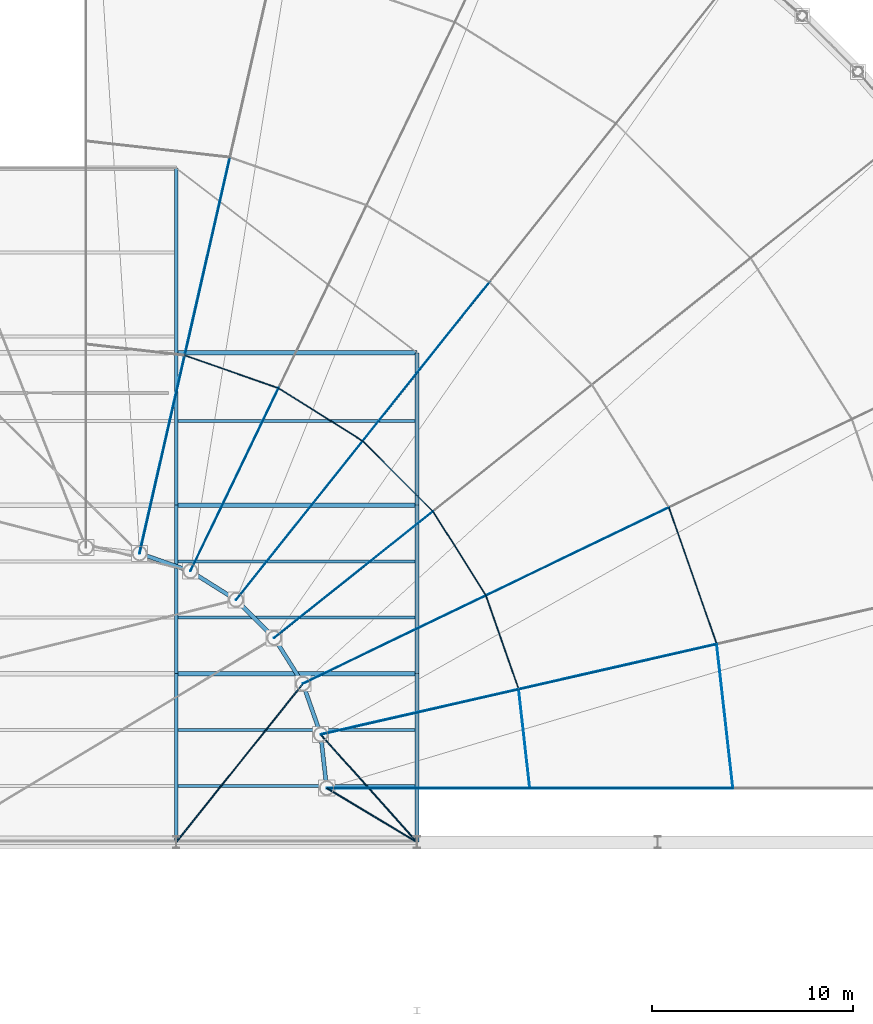
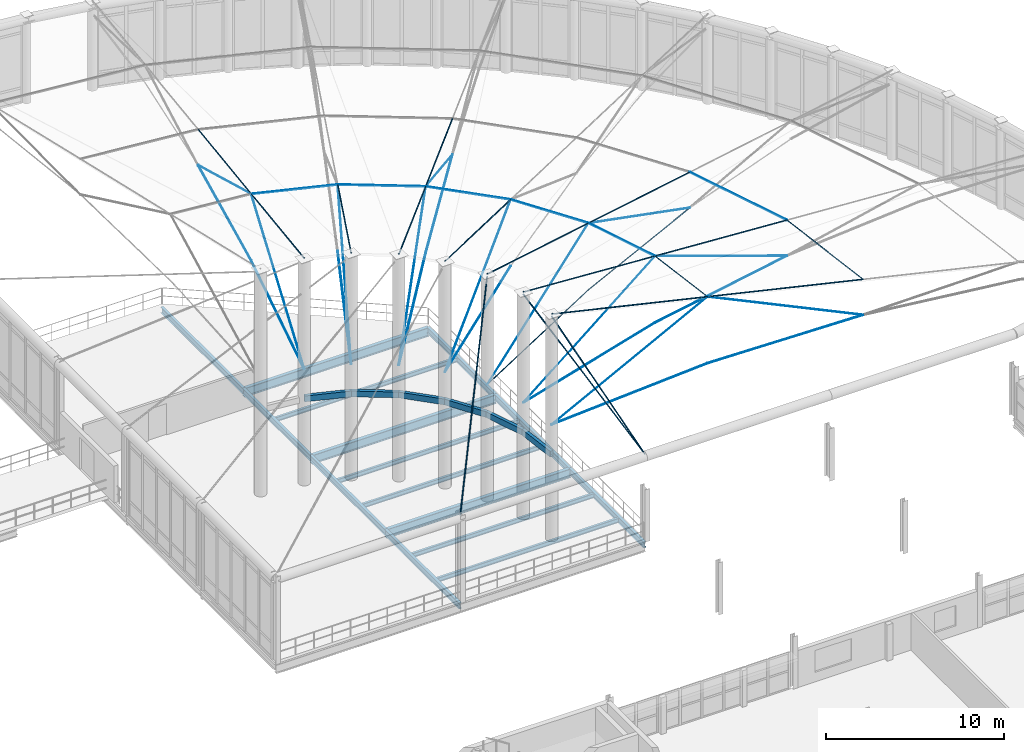
# One storey, part 55 of 101: 47 members, 21 beams.
"""IFC4 building model written with IfcOpenShell, lengths in metres."""

from ifc_helpers import new_model, si_unit, direction, frame, origin, origin_2d, place, context, subcontext, project, spatial, hollow_rectangle, circle, i_section, extrude, material, material_profile, profile_set, type_object, element, save


model = new_model("IFC4")

# Units and contexts
model_context = context("Model", 3, precision=1e-05, world=origin(), true_north=direction((0.0, 1.0)))
body_context = subcontext(model_context, "Body", "Model", "MODEL_VIEW")
ifc_project = project(units=[si_unit("LENGTHUNIT", "METRE"), si_unit("AREAUNIT", "SQUARE_METRE"), si_unit("VOLUMEUNIT", "CUBIC_METRE"), si_unit("PLANEANGLEUNIT", "RADIAN"), si_unit("MASSUNIT", "GRAM", prefix="KILO"), si_unit("THERMODYNAMICTEMPERATUREUNIT", "KELVIN"), si_unit("POWERUNIT", "WATT")], contexts=[model_context])

# Site, building, storey
site_placement = place(None, origin())
site = spatial("IfcSite", under=ifc_project, at=site_placement, CompositionType="ELEMENT")
building_placement = place(site_placement, origin())
building = spatial("IfcBuilding", under=site, at=building_placement, Name="Tembeka Court Mobility Hub", CompositionType="ELEMENT")
storey_placement = place(building_placement, frame((0.0, 0.0, 5.39990234375)))
storey = spatial("IfcBuildingStorey", under=building, at=storey_placement, Name="L01", CompositionType="ELEMENT", Elevation=5.39990234375)

# Beams
ifc_material_1 = material(Name="Steel S355", Category="steel")
ifc_material_profile_1 = material_profile(ifc_material_1, i_section(OverallWidth=0.177978515625, OverallDepth=0.406005859375, WebThickness=0.0078125, FlangeThickness=0.0126953125, FilletRadius=0.01025390625, at=origin_2d()), Name="UKB 406x178x60")
ifc_profile_set_1 = profile_set([ifc_material_profile_1], Name="Steel S355")
beam_type_1 = type_object("IfcBeamType", Name="BM-B02", PredefinedType="BEAM", material=ifc_profile_set_1)
for number, where, z_axis, x_axis, name in (
    (1, (128.39990234375, 63.60009765625, -0.392822265625), (0.0, 1.0, 0.0), (-1.0, 0.0, 0.0), "Beam B02 (BM-L01-Y0884)"),
    (2, (128.39990234375, 72.0, -0.392822265625), (0.0, 1.0, 0.0), (-1.0, 0.0, 0.0), "Beam B02 (BM-L01-Y0885)"),
):
    element("IfcBeam", number, at=place(storey_placement, frame(where, z_axis=z_axis, x_axis=x_axis)), inside=storey, type_object=beam_type_1, Name=name, PredefinedType="BEAM", context=body_context, shape_type="SweptSolid", body=[
        extrude(i_section(OverallWidth=0.177978515625, OverallDepth=0.406005859375, WebThickness=0.0078125, FlangeThickness=0.0126953125, FilletRadius=0.01025390625, at=origin_2d()), origin(), (0.0, 0.0, 1.0), 8.39990234375),
    ])
beam_1_placement = place(storey_placement, frame((128.39990234375, 80.39990234375, -0.392822265625), z_axis=(0.0, 1.0, 0.0), x_axis=(-1.0, 0.0, 0.0)))
element("IfcBeam", 3, at=beam_1_placement, inside=storey, type_object=beam_type_1, Name="Beam B02 (BM-L01-Y0886)", PredefinedType="BEAM", context=body_context, shape_type="SweptSolid", body=[
    extrude(i_section(OverallWidth=0.177978515625, OverallDepth=0.406005859375, WebThickness=0.0078125, FlangeThickness=0.0126953125, FilletRadius=0.01025390625, at=origin_2d()), origin(), (0.0, 0.0, 1.0), 7.60009765625),
])
beam_2_placement = place(storey_placement, frame((128.39990234375, 88.0, -0.392822265625), z_axis=(0.0, 1.0, 0.0), x_axis=(-1.0, 0.0, 0.0)))
element("IfcBeam", 4, at=beam_2_placement, inside=storey, type_object=beam_type_1, Name="Beam B02 (BM-L01-Y0887)", PredefinedType="BEAM", context=body_context, shape_type="SweptSolid", body=[
    extrude(i_section(OverallWidth=0.177978515625, OverallDepth=0.406005859375, WebThickness=0.0078125, FlangeThickness=0.0126953125, FilletRadius=0.01025390625, at=origin_2d()), origin(), (0.0, 0.0, 1.0), 9.199951171875),
])
for number, where, z_axis, x_axis, name in (
    (5, (140.39990234375, 63.60009765625, -0.392822265625), (0.0, 1.0, 0.0), (-1.0, 0.0, 0.0), "Beam B02 (BM-L01-Y0892)"),
    (6, (140.39990234375, 72.0, -0.392822265625), (0.0, 1.0, 0.0), (-1.0, 0.0, 0.0), "Beam B02 (BM-L01-Y0893)"),
):
    element("IfcBeam", number, at=place(storey_placement, frame(where, z_axis=z_axis, x_axis=x_axis)), inside=storey, type_object=beam_type_1, Name=name, PredefinedType="BEAM", context=body_context, shape_type="SweptSolid", body=[
        extrude(i_section(OverallWidth=0.177978515625, OverallDepth=0.406005859375, WebThickness=0.0078125, FlangeThickness=0.0126953125, FilletRadius=0.01025390625, at=origin_2d()), origin(), (0.0, 0.0, 1.0), 8.39990234375),
    ])
beam_3_placement = place(storey_placement, frame((140.39990234375, 80.39990234375, -0.392822265625), z_axis=(0.0, 1.0, 0.0), x_axis=(-1.0, 0.0, 0.0)))
element("IfcBeam", 7, at=beam_3_placement, inside=storey, type_object=beam_type_1, Name="Beam B02 (BM-L01-Y0894)", PredefinedType="BEAM", context=body_context, shape_type="SweptSolid", body=[
    extrude(i_section(OverallWidth=0.177978515625, OverallDepth=0.406005859375, WebThickness=0.0078125, FlangeThickness=0.0126953125, FilletRadius=0.01025390625, at=origin_2d()), origin(), (0.0, 0.0, 1.0), 7.60009765625),
])
ifc_material_profile_2 = material_profile(ifc_material_1, i_section(OverallWidth=0.22900390625, OverallDepth=0.612060546875, WebThickness=0.011962890625, FlangeThickness=0.01953125, FilletRadius=0.0126953125, at=origin_2d()), Name="UKB 610x229x125")
ifc_profile_set_2 = profile_set([ifc_material_profile_2], Name="Steel S355")
beam_type_2 = type_object("IfcBeamType", Name="BM-G02", PredefinedType="USERDEFINED", material=ifc_profile_set_2)
for number, where, z_axis, x_axis, name in (
    (8, (128.39990234375, 72.0, -0.495849609375), (1.0, 0.0, 0.0), (0.0, 1.0, 0.0), "Beam G02 (BM-L01-X0715)"),
    (9, (128.39990234375, 80.39990234375, -0.495849609375), (1.0, 0.0, 0.0), (0.0, 1.0, 0.0), "Beam G02 (BM-L01-X0728)"),
    (10, (128.39990234375, 88.0, -0.495849609375), (1.0, 0.0, 0.0), (0.0, 1.0, 0.0), "Beam G02 (BM-L01-X0734)"),
):
    element("IfcBeam", number, at=place(storey_placement, frame(where, z_axis=z_axis, x_axis=x_axis)), inside=storey, type_object=beam_type_2, Name=name, ObjectType="GIRDER", PredefinedType="USERDEFINED", context=body_context, shape_type="SweptSolid", body=[
        extrude(i_section(OverallWidth=0.22900390625, OverallDepth=0.612060546875, WebThickness=0.011962890625, FlangeThickness=0.01953125, FilletRadius=0.0126953125, at=origin_2d()), origin(), (0.0, 0.0, 1.0), 12.0),
    ])
ifc_material_profile_3 = material_profile(ifc_material_1, i_section(OverallWidth=0.14990234375, OverallDepth=0.300048828125, WebThickness=0.007080078125, FlangeThickness=0.0107421875, FilletRadius=0.014892578125, at=origin_2d()), Name="IPE 300")
ifc_profile_set_3 = profile_set([ifc_material_profile_3], Name="Steel S355")
beam_type_3 = type_object("IfcBeamType", Name="BM-J04", PredefinedType="JOIST", material=ifc_profile_set_3)
for number, where, z_axis, x_axis, name in (
    (11, (128.48388671875, 66.39990234375, -0.33984375), (1.0, 0.0, 0.0), (0.0, 1.0, 0.0), "Beam J04 (JST-L01-1132)"),
    (12, (128.48388671875, 69.199951171875, -0.33984375), (1.0, 0.0, 0.0), (0.0, 1.0, 0.0), "Beam J04 (JST-L01-1133)"),
    (13, (128.48388671875, 74.800048828125, -0.33984375), (1.0, 0.0, 0.0), (0.0, 1.0, 0.0), "Beam J04 (JST-L01-1134)"),
    (14, (128.48388671875, 77.60009765625, -0.33984375), (1.0, 0.0, 0.0), (0.0, 1.0, 0.0), "Beam J04 (JST-L01-1135)"),
    (15, (128.48388671875, 84.60009765625, -0.33984375), (1.0, 0.0, 0.0), (0.0, 1.0, 0.0), "Beam J04 (JST-L01-1136)"),
):
    element("IfcBeam", number, at=place(storey_placement, frame(where, z_axis=z_axis, x_axis=x_axis)), inside=storey, type_object=beam_type_3, Name=name, PredefinedType="JOIST", context=body_context, shape_type="SweptSolid", body=[
        extrude(i_section(OverallWidth=0.14990234375, OverallDepth=0.300048828125, WebThickness=0.007080078125, FlangeThickness=0.0107421875, FilletRadius=0.014892578125, at=origin_2d()), origin(), (0.0, 0.0, 1.0), 11.83203125),
    ])
ifc_material_profile_4 = material_profile(ifc_material_1, hollow_rectangle(XDim=0.199951171875, YDim=0.39990234375, WallThickness=0.012451171875, at=origin_2d()), Name="RHS 400x200x12.5")
ifc_profile_set_4 = profile_set([ifc_material_profile_4], Name="Steel S355")
beam_type_4 = type_object("IfcBeamType", Name="BM-RB02", PredefinedType="BEAM", material=ifc_profile_set_4)
beam_4_placement = place(storey_placement, frame((135.89990234375, 66.300048828125, 5.800048828125), z_axis=(-0.111937206501, 0.993715282061, 0.0), x_axis=(-0.993715282061, -0.111937206501, 0.0)))
element("IfcBeam", 16, at=beam_4_placement, inside=storey, type_object=beam_type_4, Name="Concourse inner mast ring beam RB02-01", PredefinedType="BEAM", context=body_context, shape_type="SweptSolid", body=[
    extrude(hollow_rectangle(XDim=0.199951171875, YDim=0.39990234375, WallThickness=0.012451171875, at=origin_2d()), origin(), (0.0, 0.0, 1.0), 2.68701171875),
])
for number, where, z_axis, x_axis, name in (
    (17, (135.59912109375, 68.97021484375, 5.800048828125), (-0.33025734244, 0.943890930015, 0.0), (-0.943890930015, -0.33025734244, 0.0), "Concourse inner mast ring beam RB02-02"),
    (18, (134.711669921875, 71.506591796875, 5.800048828125), (-0.532022688291, 0.846730098168, 0.0), (-0.846730098168, -0.532022688291, 0.0), "Concourse inner mast ring beam RB02-03"),
):
    element("IfcBeam", number, at=place(storey_placement, frame(where, z_axis=z_axis, x_axis=x_axis)), inside=storey, type_object=beam_type_4, Name=name, PredefinedType="BEAM", context=body_context, shape_type="SweptSolid", body=[
        extrude(hollow_rectangle(XDim=0.199951171875, YDim=0.39990234375, WallThickness=0.012451171875, at=origin_2d()), origin(), (0.0, 0.0, 1.0), 2.687255859375),
    ])
for number, where, z_axis, x_axis, name in (
    (19, (133.281982421875, 73.781982421875, 5.800048828125), (-0.70715220901, 0.707061350445, 0.0), (-0.707061350445, -0.70715220901, 0.0), "Concourse inner mast ring beam RB02-04"),
    (20, (131.3818359375, 75.681884765625, 5.800048828125), (-0.846704380031, 0.532063617283, 0.0), (-0.532063617283, -0.846704380031, 0.0), "Concourse inner mast ring beam RB02-05"),
):
    element("IfcBeam", number, at=place(storey_placement, frame(where, z_axis=z_axis, x_axis=x_axis)), inside=storey, type_object=beam_type_4, Name=name, PredefinedType="BEAM", context=body_context, shape_type="SweptSolid", body=[
        extrude(hollow_rectangle(XDim=0.199951171875, YDim=0.39990234375, WallThickness=0.012451171875, at=origin_2d()), origin(), (0.0, 0.0, 1.0), 2.68701171875),
    ])
beam_5_placement = place(storey_placement, frame((129.106689453125, 77.111572265625, 5.800048828125), z_axis=(-0.943890930015, 0.33025734244, 0.0), x_axis=(-0.33025734244, -0.943890930015, 0.0)))
element("IfcBeam", 21, at=beam_5_placement, inside=storey, type_object=beam_type_4, Name="Concourse inner mast ring beam RB02-06", PredefinedType="BEAM", context=body_context, shape_type="SweptSolid", body=[
    extrude(hollow_rectangle(XDim=0.199951171875, YDim=0.39990234375, WallThickness=0.012451171875, at=origin_2d()), origin(), (0.0, 0.0, 1.0), 2.687255859375),
])

# Members
ifc_material_2 = material(Name="Steel S460", Category="steel")
ifc_material_profile_5 = material_profile(ifc_material_2, circle(Radius=0.031982421875, at=origin_2d()), Name="CABLE D64")
ifc_profile_set_5 = profile_set([ifc_material_profile_5], Name="Steel S460")
member_type_1 = type_object("IfcMemberType", Name="MEM-CB01", PredefinedType="USERDEFINED", material=ifc_profile_set_5)
member_1_placement = place(storey_placement, frame((140.39990234375, 63.60009765625, 5.85009765625), z_axis=(-0.417998506046, 0.250794568053, 0.873143363703), x_axis=(-0.514488913912, -0.857497030584, 0.0)))
element("IfcMember", 22, at=member_1_placement, inside=storey, type_object=member_type_1, Name="Concourse mast M1 backstay cable CB01", ObjectType="CABLE", PredefinedType="USERDEFINED", context=body_context, shape_type="SweptSolid", body=[
    extrude(circle(Radius=0.031982421875, at=origin_2d()), origin(), (0.0, 0.0, 1.0), 10.765625),
])
for number, where, z_axis, x_axis, name in (
    (23, (135.89990234375, 66.300048828125, 15.400146484375), (0.974104590881, 0.0, -0.226097868244), (0.0, 1.0, 0.0), "Concourse radial ridge cable CB01-1-1"),
    (24, (146.02490234375, 66.300048828125, 13.050048828125), (0.974109763775, 0.0, -0.226075580544), (0.0, 1.0, 0.0), "Concourse radial ridge cable CB01-1-2"),
):
    element("IfcMember", number, at=place(storey_placement, frame(where, z_axis=z_axis, x_axis=x_axis)), inside=storey, type_object=member_type_1, Name=name, ObjectType="CABLE", PredefinedType="USERDEFINED", context=body_context, shape_type="SweptSolid", body=[
        extrude(circle(Radius=0.031982421875, at=origin_2d()), origin(), (0.0, 0.0, 1.0), 10.39404296875),
    ])
member_2_placement = place(storey_placement, frame((140.39990234375, 63.60009765625, 5.85009765625), z_axis=(-0.405387213355, 0.453463036257, 0.79374585479), x_axis=(-0.745521364484, -0.666481729006, 0.0)))
element("IfcMember", 25, at=member_2_placement, inside=storey, type_object=member_type_1, Name="Concourse mast M2 backstay cable CB01", ObjectType="CABLE", PredefinedType="USERDEFINED", context=body_context, shape_type="SweptSolid", body=[
    extrude(circle(Radius=0.031982421875, at=origin_2d()), origin(), (0.0, 0.0, 1.0), 11.842529296875),
])
for number, where, z_axis, x_axis, name in (
    (26, (135.59912109375, 68.97021484375, 15.400146484375), (0.949678311912, 0.216773376055, -0.226098224932), (-0.222536056711, 0.974924460388, 0.0), "Concourse radial ridge cable CB01-2-1"),
    (27, (145.47021484375, 71.223388671875, 13.050048828125), (0.949688190375, 0.216752142382, -0.226077088256), (-0.222513137948, 0.974929691537, 0.0), "Concourse radial ridge cable CB01-2-2"),
):
    element("IfcMember", number, at=place(storey_placement, frame(where, z_axis=z_axis, x_axis=x_axis)), inside=storey, type_object=member_type_1, Name=name, ObjectType="CABLE", PredefinedType="USERDEFINED", context=body_context, shape_type="SweptSolid", body=[
        extrude(circle(Radius=0.031982421875, at=origin_2d()), origin(), (0.0, 0.0, 1.0), 10.39404296875),
    ])
member_3_placement = place(storey_placement, frame((128.39990234375, 63.60009765625, 5.85009765625), z_axis=(0.4570515111, 0.57252981035, 0.680671383607), x_axis=(-0.781515834797, 0.623885406114, 0.0)))
element("IfcMember", 28, at=member_3_placement, inside=storey, type_object=member_type_1, Name="Concourse mast M3 backstay cable CB01", ObjectType="CABLE", PredefinedType="USERDEFINED", context=body_context, shape_type="SweptSolid", body=[
    extrude(circle(Radius=0.031982421875, at=origin_2d()), origin(), (0.0, 0.0, 1.0), 13.809814453125),
])
for number, where, z_axis, x_axis, name in (
    (29, (134.711669921875, 71.506591796875, 15.400146484375), (0.877638243854, 0.422647465808, -0.226097838494), (-0.433883041686, 0.900969203767, 0.0), "Concourse radial ridge cable CB01-3-1"),
    (30, (143.833984375, 75.899658203125, 13.050048828125), (0.877642904471, 0.422649710238, -0.226075550797), (-0.433883041686, 0.900969203767, 0.0), "Concourse radial ridge cable CB01-3-2"),
    (31, (133.281982421875, 73.781982421875, 15.400146484375), (0.761588509184, 0.607340059276, -0.226099524716), (-0.62348571671, 0.781834740248, 0.0), "Concourse radial ridge cable CB01-4-1"),
):
    element("IfcMember", number, at=place(storey_placement, frame(where, z_axis=z_axis, x_axis=x_axis)), inside=storey, type_object=member_type_1, Name=name, ObjectType="CABLE", PredefinedType="USERDEFINED", context=body_context, shape_type="SweptSolid", body=[
        extrude(circle(Radius=0.031982421875, at=origin_2d()), origin(), (0.0, 0.0, 1.0), 10.39404296875),
    ])
for number, where, z_axis, x_axis, name in (
    (32, (131.3818359375, 75.681884765625, 15.400146484375), (0.607329194991, 0.761598373655, -0.226095480179), (-0.781844113475, 0.623473962748, 0.0), "Concourse radial ridge cable CB01-5-1"),
    (33, (137.694580078125, 83.59814453125, 13.050048828125), (0.607358108652, 0.76158168903, -0.226074011748), (-0.781822986173, 0.623500455726, 0.0), "Concourse radial ridge cable CB01-5-2"),
):
    element("IfcMember", number, at=place(storey_placement, frame(where, z_axis=z_axis, x_axis=x_axis)), inside=storey, type_object=member_type_1, Name=name, ObjectType="CABLE", PredefinedType="USERDEFINED", context=body_context, shape_type="SweptSolid", body=[
        extrude(circle(Radius=0.031982421875, at=origin_2d()), origin(), (0.0, 0.0, 1.0), 10.394287109375),
    ])
for number, where, z_axis, x_axis, name in (
    (34, (129.106689453125, 77.111572265625, 15.400146484375), (0.422647465808, 0.877638243854, -0.226097838494), (-0.900969203767, 0.433883041686, 0.0), "Concourse radial ridge cable CB01-6-1"),
    (35, (126.5703125, 77.9990234375, 15.400146484375), (0.21675099133, 0.949683147102, -0.226099376088), (-0.974929691537, 0.222513137948, 0.0), "Concourse radial ridge cable CB01-7-1"),
):
    element("IfcMember", number, at=place(storey_placement, frame(where, z_axis=z_axis, x_axis=x_axis)), inside=storey, type_object=member_type_1, Name=name, ObjectType="CABLE", PredefinedType="USERDEFINED", context=body_context, shape_type="SweptSolid", body=[
        extrude(circle(Radius=0.031982421875, at=origin_2d()), origin(), (0.0, 0.0, 1.0), 10.39404296875),
    ])
member_4_placement = place(storey_placement, frame((128.8232421875, 87.8701171875, 13.050048828125), z_axis=(0.216769691823, 0.94968565928, -0.226070894333), x_axis=(-0.974925654462, 0.22253082544, 0.0)))
element("IfcMember", 36, at=member_4_placement, inside=storey, type_object=member_type_1, Name="Concourse radial ridge cable CB01-7-2", ObjectType="CABLE", PredefinedType="USERDEFINED", context=body_context, shape_type="SweptSolid", body=[
    extrude(circle(Radius=0.031982421875, at=origin_2d()), origin(), (0.0, 0.0, 1.0), 10.394287109375),
])
ifc_material_profile_6 = material_profile(ifc_material_2, circle(Radius=0.02392578125, at=origin_2d()), Name="CABLE D48")
ifc_profile_set_6 = profile_set([ifc_material_profile_6], Name="Steel S460")
member_type_2 = type_object("IfcMemberType", Name="MEM-CB02", PredefinedType="USERDEFINED", material=ifc_profile_set_6)
member_5_placement = place(storey_placement, frame((135.89990234375, 66.300048828125, 7.800048828125), z_axis=(0.997784838475, 0.0, 0.06652380108), x_axis=(0.0, 1.0, 0.0)))
element("IfcMember", 37, at=member_5_placement, inside=storey, type_object=member_type_2, Name="Concourse radial valley cable CB02-1-1", ObjectType="CABLE", PredefinedType="USERDEFINED", context=body_context, shape_type="SweptSolid", body=[
    extrude(circle(Radius=0.02392578125, at=origin_2d()), origin(), (0.0, 0.0, 1.0), 10.1474609375),
])
member_6_placement = place(storey_placement, frame((146.02490234375, 66.300048828125, 8.47509765625), z_axis=(0.999752963609, 0.0, -0.022226375204), x_axis=(0.0, 1.0, 0.0)))
element("IfcMember", 38, at=member_6_placement, inside=storey, type_object=member_type_2, Name="Concourse radial valley cable CB02-1-2", ObjectType="CABLE", PredefinedType="USERDEFINED", context=body_context, shape_type="SweptSolid", body=[
    extrude(circle(Radius=0.02392578125, at=origin_2d()), origin(), (0.0, 0.0, 1.0), 10.12744140625),
])
member_7_placement = place(storey_placement, frame((135.59912109375, 68.97021484375, 7.800048828125), z_axis=(0.972764838076, 0.222043101766, 0.066523911191), x_axis=(-0.222536056711, 0.974924460388, 0.0)))
element("IfcMember", 39, at=member_7_placement, inside=storey, type_object=member_type_2, Name="Concourse radial valley cable CB02-2-1", ObjectType="CABLE", PredefinedType="USERDEFINED", context=body_context, shape_type="SweptSolid", body=[
    extrude(circle(Radius=0.02392578125, at=origin_2d()), origin(), (0.0, 0.0, 1.0), 10.1474609375),
])
member_8_placement = place(storey_placement, frame((145.47021484375, 71.223388671875, 8.47509765625), z_axis=(0.974688845041, 0.222458168333, -0.02222653134), x_axis=(-0.222513137948, 0.974929691537, 0.0)))
element("IfcMember", 40, at=member_8_placement, inside=storey, type_object=member_type_2, Name="Concourse radial valley cable CB02-2-2", ObjectType="CABLE", PredefinedType="USERDEFINED", context=body_context, shape_type="SweptSolid", body=[
    extrude(circle(Radius=0.02392578125, at=origin_2d()), origin(), (0.0, 0.0, 1.0), 10.12744140625),
])
member_9_placement = place(storey_placement, frame((134.711669921875, 71.506591796875, 7.800048828125), z_axis=(0.898973412003, 0.432921920931, 0.066523791896), x_axis=(-0.433883041686, 0.900969203767, 0.0)))
element("IfcMember", 41, at=member_9_placement, inside=storey, type_object=member_type_2, Name="Concourse radial valley cable CB02-3-1", ObjectType="CABLE", PredefinedType="USERDEFINED", context=body_context, shape_type="SweptSolid", body=[
    extrude(circle(Radius=0.02392578125, at=origin_2d()), origin(), (0.0, 0.0, 1.0), 10.1474609375),
])
member_10_placement = place(storey_placement, frame((143.833984375, 75.899658203125, 8.47509765625), z_axis=(0.900746631649, 0.433775856815, -0.022226372123), x_axis=(-0.433883041686, 0.900969203767, 0.0)))
element("IfcMember", 42, at=member_10_placement, inside=storey, type_object=member_type_2, Name="Concourse radial valley cable CB02-3-2", ObjectType="CABLE", PredefinedType="USERDEFINED", context=body_context, shape_type="SweptSolid", body=[
    extrude(circle(Radius=0.02392578125, at=origin_2d()), origin(), (0.0, 0.0, 1.0), 10.12744140625),
])
member_11_placement = place(storey_placement, frame((133.281982421875, 73.781982421875, 7.800048828125), z_axis=(0.780102823357, 0.622104573882, 0.066524312441), x_axis=(-0.62348571671, 0.781834740248, 0.0)))
element("IfcMember", 43, at=member_11_placement, inside=storey, type_object=member_type_2, Name="Concourse radial valley cable CB02-4-1", ObjectType="CABLE", PredefinedType="USERDEFINED", context=body_context, shape_type="SweptSolid", body=[
    extrude(circle(Radius=0.02392578125, at=origin_2d()), origin(), (0.0, 0.0, 1.0), 10.1474609375),
])
member_12_placement = place(storey_placement, frame((131.3818359375, 75.681884765625, 7.800048828125), z_axis=(0.622092897858, 0.780112240904, 0.066523063874), x_axis=(-0.781844113475, 0.623473962748, 0.0)))
element("IfcMember", 44, at=member_12_placement, inside=storey, type_object=member_type_2, Name="Concourse radial valley cable CB02-5-1", ObjectType="CABLE", PredefinedType="USERDEFINED", context=body_context, shape_type="SweptSolid", body=[
    extrude(circle(Radius=0.02392578125, at=origin_2d()), origin(), (0.0, 0.0, 1.0), 10.147705078125),
])
member_13_placement = place(storey_placement, frame((137.694580078125, 83.59814453125, 8.47509765625), z_axis=(0.623346430676, 0.781629850268, -0.022226212742), x_axis=(-0.781822986173, 0.623500455726, 0.0)))
element("IfcMember", 45, at=member_13_placement, inside=storey, type_object=member_type_2, Name="Concourse radial valley cable CB02-5-2", ObjectType="CABLE", PredefinedType="USERDEFINED", context=body_context, shape_type="SweptSolid", body=[
    extrude(circle(Radius=0.02392578125, at=origin_2d()), origin(), (0.0, 0.0, 1.0), 10.127685546875),
])
for number, where, z_axis, x_axis, name in (
    (46, (129.106689453125, 77.111572265625, 7.800048828125), (0.432921920931, 0.898973412003, 0.066523791896), (-0.900969203767, 0.433883041686, 0.0), "Concourse radial valley cable CB02-6-1"),
    (47, (126.5703125, 77.9990234375, 7.800048828125), (0.2220202285, 0.972770034538, 0.066524266559), (-0.974929691537, 0.222513137948, 0.0), "Concourse radial valley cable CB02-7-1"),
):
    element("IfcMember", number, at=place(storey_placement, frame(where, z_axis=z_axis, x_axis=x_axis)), inside=storey, type_object=member_type_2, Name=name, ObjectType="CABLE", PredefinedType="USERDEFINED", context=body_context, shape_type="SweptSolid", body=[
        extrude(circle(Radius=0.02392578125, at=origin_2d()), origin(), (0.0, 0.0, 1.0), 10.1474609375),
    ])
member_14_placement = place(storey_placement, frame((128.8232421875, 87.8701171875, 8.47509765625), z_axis=(0.222475854629, 0.974684822866, -0.022225889909), x_axis=(-0.974925654462, 0.22253082544, 0.0)))
element("IfcMember", 48, at=member_14_placement, inside=storey, type_object=member_type_2, Name="Concourse radial valley cable CB02-7-2", ObjectType="CABLE", PredefinedType="USERDEFINED", context=body_context, shape_type="SweptSolid", body=[
    extrude(circle(Radius=0.02392578125, at=origin_2d()), origin(), (0.0, 0.0, 1.0), 10.127685546875),
])
member_15_placement = place(storey_placement, frame((146.02490234375, 66.300048828125, 13.050048828125), z_axis=(-0.111956568731, 0.993713100808, 0.0), x_axis=(-0.993713100808, -0.111956568731, 0.0)))
element("IfcMember", 49, at=member_15_placement, inside=storey, type_object=member_type_2, Name="Concourse circumferential hoop cable CB02-B1-1", ObjectType="CABLE", PredefinedType="USERDEFINED", context=body_context, shape_type="SweptSolid", body=[
    extrude(circle(Radius=0.02392578125, at=origin_2d()), origin(), (0.0, 0.0, 1.0), 4.95458984375),
])
member_16_placement = place(storey_placement, frame((156.14990234375, 66.300048828125, 10.7001953125), z_axis=(-0.111967534122, 0.993711865333, 0.0), x_axis=(-0.993711865333, -0.111967534122, 0.0)))
element("IfcMember", 50, at=member_16_placement, inside=storey, type_object=member_type_2, Name="Concourse circumferential hoop cable CB02-B1-2", ObjectType="CABLE", PredefinedType="USERDEFINED", context=body_context, shape_type="SweptSolid", body=[
    extrude(circle(Radius=0.02392578125, at=origin_2d()), origin(), (0.0, 0.0, 1.0), 7.2216796875),
])
member_17_placement = place(storey_placement, frame((145.47021484375, 71.223388671875, 13.050048828125), z_axis=(-0.330267011536, 0.943887546846, 0.0), x_axis=(-0.943887546846, -0.330267011536, 0.0)))
element("IfcMember", 51, at=member_17_placement, inside=storey, type_object=member_type_2, Name="Concourse circumferential hoop cable CB02-B2-1", ObjectType="CABLE", PredefinedType="USERDEFINED", context=body_context, shape_type="SweptSolid", body=[
    extrude(circle(Radius=0.02392578125, at=origin_2d()), origin(), (0.0, 0.0, 1.0), 4.954345703125),
])
member_18_placement = place(storey_placement, frame((155.34130859375, 73.476318359375, 10.7001953125), z_axis=(-0.330260070571, 0.943889975467, 0.0), x_axis=(-0.943889975467, -0.330260070571, 0.0)))
element("IfcMember", 52, at=member_18_placement, inside=storey, type_object=member_type_2, Name="Concourse circumferential hoop cable CB02-B2-2", ObjectType="CABLE", PredefinedType="USERDEFINED", context=body_context, shape_type="SweptSolid", body=[
    extrude(circle(Radius=0.02392578125, at=origin_2d()), origin(), (0.0, 0.0, 1.0), 7.2216796875),
])
for number, where, z_axis, x_axis, name in (
    (53, (143.833984375, 75.899658203125, 13.050048828125), (-0.532039336763, 0.846719637269, 0.0), (-0.846719637269, -0.532039336763, 0.0), "Concourse circumferential hoop cable CB02-B3-1"),
    (54, (141.197998046875, 80.0947265625, 13.050048828125), (-0.707106781187, 0.707106781187, 0.0), (-0.707106781187, -0.707106781187, 0.0), "Concourse circumferential hoop cable CB02-B4-1"),
):
    element("IfcMember", number, at=place(storey_placement, frame(where, z_axis=z_axis, x_axis=x_axis)), inside=storey, type_object=member_type_2, Name=name, ObjectType="CABLE", PredefinedType="USERDEFINED", context=body_context, shape_type="SweptSolid", body=[
        extrude(circle(Radius=0.02392578125, at=origin_2d()), origin(), (0.0, 0.0, 1.0), 4.95458984375),
    ])
member_19_placement = place(storey_placement, frame((137.694580078125, 83.59814453125, 13.050048828125), z_axis=(-0.846727887728, 0.532026206257, 0.0), x_axis=(-0.532026206257, -0.846727887728, 0.0)))
element("IfcMember", 55, at=member_19_placement, inside=storey, type_object=member_type_2, Name="Concourse circumferential hoop cable CB02-B5-1", ObjectType="CABLE", PredefinedType="USERDEFINED", context=body_context, shape_type="SweptSolid", body=[
    extrude(circle(Radius=0.02392578125, at=origin_2d()), origin(), (0.0, 0.0, 1.0), 4.9541015625),
])
member_20_placement = place(storey_placement, frame((133.499755859375, 86.23388671875, 13.050048828125), z_axis=(-0.943892921628, 0.330251650261, 0.0), x_axis=(-0.330251650261, -0.943892921628, 0.0)))
element("IfcMember", 56, at=member_20_placement, inside=storey, type_object=member_type_2, Name="Concourse circumferential hoop cable CB02-B6-1", ObjectType="CABLE", PredefinedType="USERDEFINED", context=body_context, shape_type="SweptSolid", body=[
    extrude(circle(Radius=0.02392578125, at=origin_2d()), origin(), (0.0, 0.0, 1.0), 4.95458984375),
])
ifc_material_profile_7 = material_profile(ifc_material_2, circle(Radius=0.01806640625, at=origin_2d()), Name="CABLE D36")
ifc_profile_set_7 = profile_set([ifc_material_profile_7], Name="Steel S460")
member_type_3 = type_object("IfcMemberType", Name="MEM-CB03", PredefinedType="USERDEFINED", material=ifc_profile_set_7)
member_21_placement = place(storey_placement, frame((135.89990234375, 66.300048828125, 7.800048828125), z_axis=(0.887754531449, 0.0, 0.460317164455), x_axis=(0.0, 1.0, 0.0)))
element("IfcMember", 57, at=member_21_placement, inside=storey, type_object=member_type_3, Name="Concourse Jawerth web cable CB03-1-1", ObjectType="CABLE", PredefinedType="USERDEFINED", context=body_context, shape_type="SweptSolid", body=[
    extrude(circle(Radius=0.01806640625, at=origin_2d()), origin(), (0.0, 0.0, 1.0), 11.4052734375),
])
member_22_placement = place(storey_placement, frame((146.02490234375, 66.300048828125, 13.050048828125), z_axis=(0.903599816514, 0.0, -0.428377603985), x_axis=(0.0, 1.0, 0.0)))
element("IfcMember", 58, at=member_22_placement, inside=storey, type_object=member_type_3, Name="Concourse Jawerth web cable CB03-1-2", ObjectType="CABLE", PredefinedType="USERDEFINED", context=body_context, shape_type="SweptSolid", body=[
    extrude(circle(Radius=0.01806640625, at=origin_2d()), origin(), (0.0, 0.0, 1.0), 11.205078125),
])
member_23_placement = place(storey_placement, frame((135.59912109375, 68.97021484375, 7.800048828125), z_axis=(0.865493302629, 0.197557323159, 0.460317767603), x_axis=(-0.222536056711, 0.974924460388, 0.0)))
element("IfcMember", 59, at=member_23_placement, inside=storey, type_object=member_type_3, Name="Concourse Jawerth web cable CB03-2-1", ObjectType="CABLE", PredefinedType="USERDEFINED", context=body_context, shape_type="SweptSolid", body=[
    extrude(circle(Radius=0.01806640625, at=origin_2d()), origin(), (0.0, 0.0, 1.0), 11.4052734375),
])
member_24_placement = place(storey_placement, frame((145.47021484375, 71.223388671875, 13.050048828125), z_axis=(0.880945154192, 0.201062571302, -0.428380062242), x_axis=(-0.222513137948, 0.974929691537, 0.0)))
element("IfcMember", 60, at=member_24_placement, inside=storey, type_object=member_type_3, Name="Concourse Jawerth web cable CB03-2-2", ObjectType="CABLE", PredefinedType="USERDEFINED", context=body_context, shape_type="SweptSolid", body=[
    extrude(circle(Radius=0.01806640625, at=origin_2d()), origin(), (0.0, 0.0, 1.0), 11.205078125),
])
member_25_placement = place(storey_placement, frame((134.711669921875, 71.506591796875, 7.800048828125), z_axis=(0.799839516842, 0.385181647693, 0.460317114149), x_axis=(-0.433883041686, 0.900969203767, 0.0)))
element("IfcMember", 61, at=member_25_placement, inside=storey, type_object=member_type_3, Name="Concourse Jawerth web cable CB03-3-1", ObjectType="CABLE", PredefinedType="USERDEFINED", context=body_context, shape_type="SweptSolid", body=[
    extrude(circle(Radius=0.01806640625, at=origin_2d()), origin(), (0.0, 0.0, 1.0), 11.4052734375),
])
member_26_placement = place(storey_placement, frame((143.833984375, 75.899658203125, 13.050048828125), z_axis=(0.814115627925, 0.392056646832, -0.428377555484), x_axis=(-0.433883041686, 0.900969203767, 0.0)))
element("IfcMember", 62, at=member_26_placement, inside=storey, type_object=member_type_3, Name="Concourse Jawerth web cable CB03-3-2", ObjectType="CABLE", PredefinedType="USERDEFINED", context=body_context, shape_type="SweptSolid", body=[
    extrude(circle(Radius=0.01806640625, at=origin_2d()), origin(), (0.0, 0.0, 1.0), 11.205078125),
])
member_27_placement = place(storey_placement, frame((133.281982421875, 73.781982421875, 7.800048828125), z_axis=(0.694076197967, 0.553501364755, 0.460319965491), x_axis=(-0.62348571671, 0.781834740248, 0.0)))
element("IfcMember", 63, at=member_27_placement, inside=storey, type_object=member_type_3, Name="Concourse Jawerth web cable CB03-4-1", ObjectType="CABLE", PredefinedType="USERDEFINED", context=body_context, shape_type="SweptSolid", body=[
    extrude(circle(Radius=0.01806640625, at=origin_2d()), origin(), (0.0, 0.0, 1.0), 11.405029296875),
])
member_28_placement = place(storey_placement, frame((131.3818359375, 75.681884765625, 7.800048828125), z_axis=(0.553493141128, 0.694087291684, 0.460313126303), x_axis=(-0.781844113475, 0.623473962748, 0.0)))
element("IfcMember", 64, at=member_28_placement, inside=storey, type_object=member_type_3, Name="Concourse Jawerth web cable CB03-5-1", ObjectType="CABLE", PredefinedType="USERDEFINED", context=body_context, shape_type="SweptSolid", body=[
    extrude(circle(Radius=0.01806640625, at=origin_2d()), origin(), (0.0, 0.0, 1.0), 11.4052734375),
])
member_29_placement = place(storey_placement, frame((137.694580078125, 83.59814453125, 13.050048828125), z_axis=(0.563395653462, 0.706456054909, -0.428375046125), x_axis=(-0.781822986173, 0.623500455726, 0.0)))
element("IfcMember", 65, at=member_29_placement, inside=storey, type_object=member_type_3, Name="Concourse Jawerth web cable CB03-5-2", ObjectType="CABLE", PredefinedType="USERDEFINED", context=body_context, shape_type="SweptSolid", body=[
    extrude(circle(Radius=0.01806640625, at=origin_2d()), origin(), (0.0, 0.0, 1.0), 11.205322265625),
])
member_30_placement = place(storey_placement, frame((129.106689453125, 77.111572265625, 7.800048828125), z_axis=(0.385181647693, 0.799839516842, 0.460317114149), x_axis=(-0.900969203767, 0.433883041686, 0.0)))
element("IfcMember", 66, at=member_30_placement, inside=storey, type_object=member_type_3, Name="Concourse Jawerth web cable CB03-6-1", ObjectType="CABLE", PredefinedType="USERDEFINED", context=body_context, shape_type="SweptSolid", body=[
    extrude(circle(Radius=0.01806640625, at=origin_2d()), origin(), (0.0, 0.0, 1.0), 11.4052734375),
])
member_31_placement = place(storey_placement, frame((126.5703125, 77.9990234375, 7.800048828125), z_axis=(0.19753675234, 0.865496962574, 0.460319714167), x_axis=(-0.974929691537, 0.222513137948, 0.0)))
element("IfcMember", 67, at=member_31_placement, inside=storey, type_object=member_type_3, Name="Concourse Jawerth web cable CB03-7-1", ObjectType="CABLE", PredefinedType="USERDEFINED", context=body_context, shape_type="SweptSolid", body=[
    extrude(circle(Radius=0.01806640625, at=origin_2d()), origin(), (0.0, 0.0, 1.0), 11.405029296875),
])
member_32_placement = place(storey_placement, frame((128.8232421875, 87.8701171875, 13.050048828125), z_axis=(0.2010796191, 0.880946173918, -0.428369963282), x_axis=(-0.974925654462, 0.22253082544, 0.0)))
element("IfcMember", 68, at=member_32_placement, inside=storey, type_object=member_type_3, Name="Concourse Jawerth web cable CB03-7-2", ObjectType="CABLE", PredefinedType="USERDEFINED", context=body_context, shape_type="SweptSolid", body=[
    extrude(circle(Radius=0.01806640625, at=origin_2d()), origin(), (0.0, 0.0, 1.0), 11.205322265625),
])

save(model, "model.ifc")
